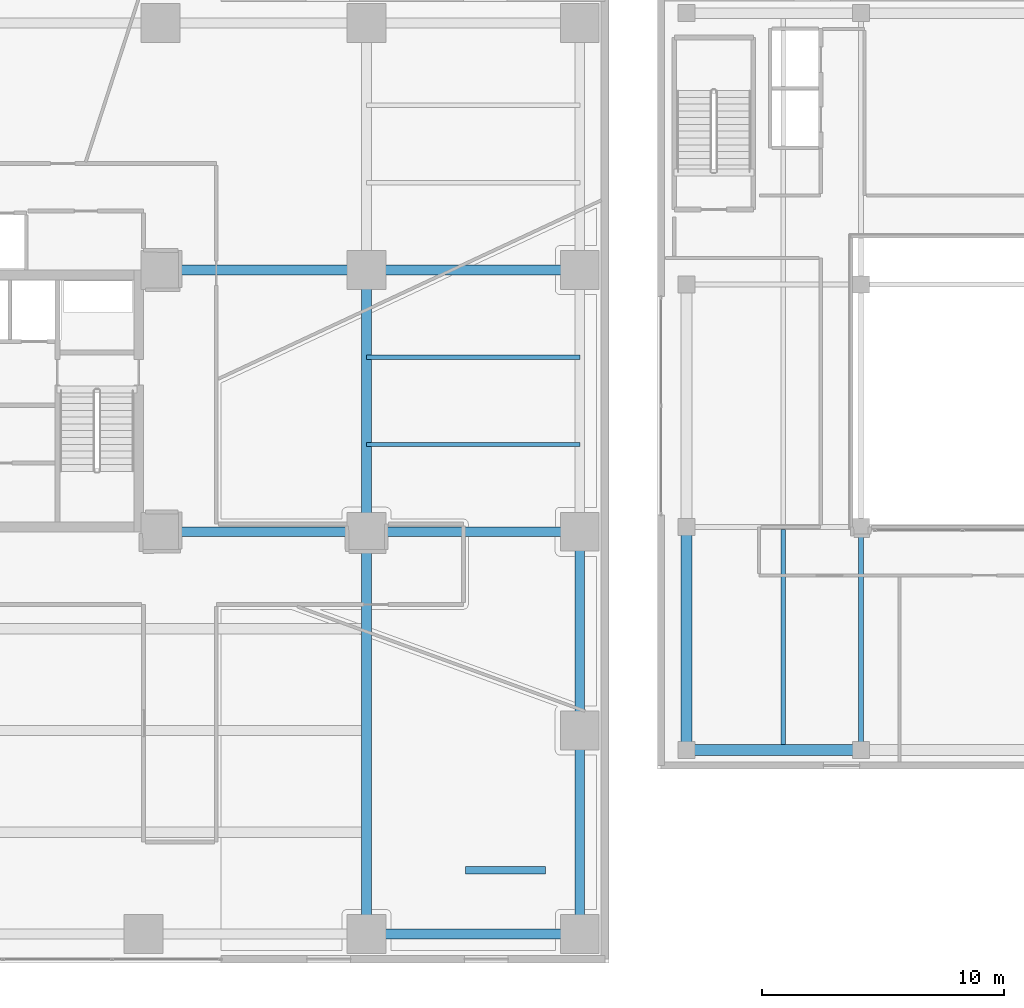
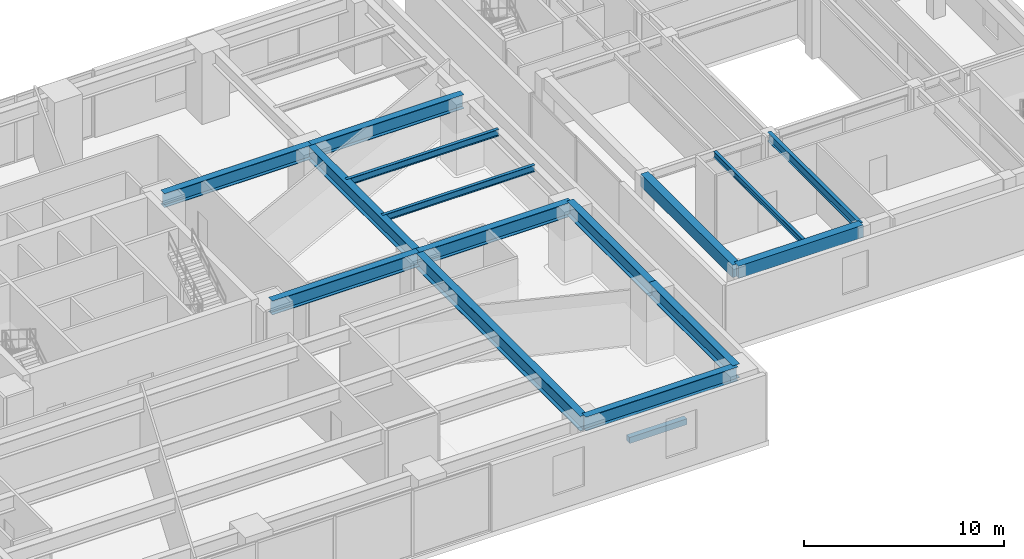
# One storey, part 7 of 25: 16 beams.
"""IFC4 building model written with IfcOpenShell, lengths in metres."""

from ifc_helpers import new_model, si_unit, direction, frame, origin, origin_2d, place, context, subcontext, project, spatial, rectangle, i_section, extrude, material, material_profile, profile_set, type_object, element, save


model = new_model("IFC4")

# Units and contexts
model_context = context("Model", 3, precision=1e-05, world=origin(), true_north=direction((0.0, 1.0)))
body_context = subcontext(model_context, "Body", "Model", "MODEL_VIEW")
ifc_project = project(units=[si_unit("LENGTHUNIT", "METRE"), si_unit("AREAUNIT", "SQUARE_METRE"), si_unit("VOLUMEUNIT", "CUBIC_METRE"), si_unit("PLANEANGLEUNIT", "RADIAN"), si_unit("MASSUNIT", "GRAM", prefix="KILO")], contexts=[model_context])

# Site, building, storey
site_placement = place(None, origin())
site = spatial("IfcSite", under=ifc_project, at=site_placement, CompositionType="ELEMENT")
building_placement = place(site_placement, origin())
building = spatial("IfcBuilding", under=site, at=building_placement, Name="Talar Marvaseh", CompositionType="ELEMENT")
storey_placement = place(building_placement, frame((0.0, 0.0, 5.199951171875)))
storey = spatial("IfcBuildingStorey", under=building, at=storey_placement, Name="L01", CompositionType="ELEMENT", Elevation=5.199951171875)

# Beams
ifc_material_1 = material(Name="Steel S460", Category="steel")
ifc_material_profile_1 = material_profile(ifc_material_1, i_section(OverallWidth=0.41796875, OverallDepth=0.912109375, WebThickness=0.019287109375, FlangeThickness=0.031982421875, at=origin_2d()), Name="W920x342")
ifc_profile_set_1 = profile_set([ifc_material_profile_1], Name="Steel S460")
beam_type_1 = type_object("IfcBeamType", Name="Auditorium Long-Span Girder W920x342", PredefinedType="BEAM", material=ifc_profile_set_1)
beam_1_placement = place(storey_placement, frame((42.0, 9.199951171875, 3.843994140625), z_axis=(0.0, 1.0, 0.0), x_axis=(-1.0, 0.0, 0.0)))
element("IfcBeam", 1, at=beam_1_placement, inside=storey, type_object=beam_type_1, Name="L01 Auditorium Long-Span Girder W920x342", PredefinedType="BEAM", context=body_context, shape_type="SweptSolid", body=[
    extrude(i_section(OverallWidth=0.41796875, OverallDepth=0.912109375, WebThickness=0.019287109375, FlangeThickness=0.031982421875, at=origin_2d()), origin(), (0.0, 0.0, 1.0), 16.60009765625),
])
ifc_material_2 = material(Name="Steel S355", Category="steel")
ifc_material_profile_2 = material_profile(ifc_material_2, i_section(OverallWidth=0.39990234375, OverallDepth=0.85498046875, WebThickness=0.018310546875, FlangeThickness=0.029296875, at=origin_2d()), Name="W840x299")
ifc_profile_set_2 = profile_set([ifc_material_profile_2], Name="Steel S355")
beam_type_2 = type_object("IfcBeamType", Name="Concourse Primary Girder W840x299", PredefinedType="BEAM", material=ifc_profile_set_2)
beam_2_placement = place(storey_placement, frame((42.0, 9.199951171875, 3.87255859375), z_axis=(1.0, 0.0, 0.0), x_axis=(0.0, 1.0, 0.0)))
element("IfcBeam", 2, at=beam_2_placement, inside=storey, type_object=beam_type_2, Name="L01 Concourse Primary Girder W840x299", PredefinedType="BEAM", context=body_context, shape_type="SweptSolid", body=[
    extrude(i_section(OverallWidth=0.39990234375, OverallDepth=0.85498046875, WebThickness=0.018310546875, FlangeThickness=0.029296875, at=origin_2d()), origin(), (0.0, 0.0, 1.0), 8.800048828125),
])
beam_3_placement = place(storey_placement, frame((33.5, 25.800048828125, 3.87255859375), z_axis=(1.0, 0.0, 0.0), x_axis=(0.0, 1.0, 0.0)))
element("IfcBeam", 3, at=beam_3_placement, inside=storey, type_object=beam_type_2, Name="L01 Concourse Primary Girder W840x299", PredefinedType="BEAM", context=body_context, shape_type="SweptSolid", body=[
    extrude(i_section(OverallWidth=0.39990234375, OverallDepth=0.85498046875, WebThickness=0.018310546875, FlangeThickness=0.029296875, at=origin_2d()), origin(), (0.0, 0.0, 1.0), 8.5),
])
beam_4_placement = place(storey_placement, frame((42.0, 25.800048828125, 3.87255859375), z_axis=(1.0, 0.0, 0.0), x_axis=(0.0, 1.0, 0.0)))
element("IfcBeam", 4, at=beam_4_placement, inside=storey, type_object=beam_type_2, Name="L01 Concourse Primary Girder W840x299", PredefinedType="BEAM", context=body_context, shape_type="SweptSolid", body=[
    extrude(i_section(OverallWidth=0.39990234375, OverallDepth=0.85498046875, WebThickness=0.018310546875, FlangeThickness=0.029296875, at=origin_2d()), origin(), (0.0, 0.0, 1.0), 8.800048828125),
])
beam_5_placement = place(storey_placement, frame((33.5, 36.60009765625, 3.87255859375), z_axis=(1.0, 0.0, 0.0), x_axis=(0.0, 1.0, 0.0)))
element("IfcBeam", 5, at=beam_5_placement, inside=storey, type_object=beam_type_2, Name="L01 Concourse Primary Girder W840x299", PredefinedType="BEAM", context=body_context, shape_type="SweptSolid", body=[
    extrude(i_section(OverallWidth=0.39990234375, OverallDepth=0.85498046875, WebThickness=0.018310546875, FlangeThickness=0.029296875, at=origin_2d()), origin(), (0.0, 0.0, 1.0), 8.5),
])
beam_6_placement = place(storey_placement, frame((42.0, 36.60009765625, 3.87255859375), z_axis=(1.0, 0.0, 0.0), x_axis=(0.0, 1.0, 0.0)))
element("IfcBeam", 6, at=beam_6_placement, inside=storey, type_object=beam_type_2, Name="L01 Concourse Primary Girder W840x299", PredefinedType="BEAM", context=body_context, shape_type="SweptSolid", body=[
    extrude(i_section(OverallWidth=0.39990234375, OverallDepth=0.85498046875, WebThickness=0.018310546875, FlangeThickness=0.029296875, at=origin_2d()), origin(), (0.0, 0.0, 1.0), 8.800048828125),
])
beam_7_placement = place(storey_placement, frame((42.0, 25.800048828125, 3.87255859375), z_axis=(0.0, 1.0, 0.0), x_axis=(-1.0, 0.0, 0.0)))
element("IfcBeam", 7, at=beam_7_placement, inside=storey, type_object=beam_type_2, Name="L01 Concourse Primary Girder W840x299", PredefinedType="BEAM", context=body_context, shape_type="SweptSolid", body=[
    extrude(i_section(OverallWidth=0.39990234375, OverallDepth=0.85498046875, WebThickness=0.018310546875, FlangeThickness=0.029296875, at=origin_2d()), origin(), (0.0, 0.0, 1.0), 10.800048828125),
])
beam_8_placement = place(storey_placement, frame((50.800048828125, 9.199951171875, 3.87255859375), z_axis=(0.0, 1.0, 0.0), x_axis=(-1.0, 0.0, 0.0)))
element("IfcBeam", 8, at=beam_8_placement, inside=storey, type_object=beam_type_2, Name="L01 Concourse Primary Girder W840x299", PredefinedType="BEAM", context=body_context, shape_type="SweptSolid", body=[
    extrude(i_section(OverallWidth=0.39990234375, OverallDepth=0.85498046875, WebThickness=0.018310546875, FlangeThickness=0.029296875, at=origin_2d()), origin(), (0.0, 0.0, 1.0), 8.400146484375),
])
beam_9_placement = place(storey_placement, frame((50.800048828125, 17.60009765625, 3.87255859375), z_axis=(0.0, 1.0, 0.0), x_axis=(-1.0, 0.0, 0.0)))
element("IfcBeam", 9, at=beam_9_placement, inside=storey, type_object=beam_type_2, Name="L01 Concourse Primary Girder W840x299", PredefinedType="BEAM", context=body_context, shape_type="SweptSolid", body=[
    extrude(i_section(OverallWidth=0.39990234375, OverallDepth=0.85498046875, WebThickness=0.018310546875, FlangeThickness=0.029296875, at=origin_2d()), origin(), (0.0, 0.0, 1.0), 8.199951171875),
])
ifc_material_3 = material(Name="Concrete C40/50", Category="concrete")
ifc_material_profile_3 = material_profile(ifc_material_3, rectangle(XDim=0.300048828125, YDim=0.360107421875, at=origin_2d()), Name="RC300x360")
ifc_profile_set_3 = profile_set([ifc_material_profile_3], Name="Concrete C40/50")
beam_type_3 = type_object("IfcBeamType", Name="Concrete Stair Landing Trimmer Beam RC300x360", PredefinedType="SPANDREL", material=ifc_profile_set_3)
beam_10_placement = place(storey_placement, frame((49.3798828125, 11.830078125, -0.179931640625), z_axis=(-1.0, 0.0, 0.0), x_axis=(0.0, -1.0, 0.0)))
element("IfcBeam", 10, at=beam_10_placement, inside=storey, type_object=beam_type_3, Name="L01 STN-ST2 Stair Nosing Trimmer Beam", PredefinedType="SPANDREL", context=body_context, shape_type="SweptSolid", body=[
    extrude(rectangle(XDim=0.300048828125, YDim=0.360107421875, at=origin_2d()), origin(), (0.0, 0.0, 1.0), 3.2998046875),
])
ifc_material_profile_4 = material_profile(ifc_material_3, rectangle(XDim=0.449951171875, YDim=0.75, at=origin_2d()), Name="RC450x750")
ifc_profile_set_4 = profile_set([ifc_material_profile_4], Name="Concrete C40/50")
beam_type_4 = type_object("IfcBeamType", Name="Market Concrete Edge Beam RC450x750", PredefinedType="SPANDREL", material=ifc_profile_set_4)
beam_11_placement = place(storey_placement, frame((55.199951171875, 16.800048828125, 3.925048828125), z_axis=(1.0, 0.0, 0.0), x_axis=(0.0, 1.0, 0.0)))
element("IfcBeam", 11, at=beam_11_placement, inside=storey, type_object=beam_type_4, Name="L01 Market Concrete Edge Beam RC450x750", PredefinedType="SPANDREL", context=body_context, shape_type="SweptSolid", body=[
    extrude(rectangle(XDim=0.449951171875, YDim=0.75, at=origin_2d()), origin(), (0.0, 0.0, 1.0), 7.199951171875),
])
beam_12_placement = place(storey_placement, frame((55.199951171875, 16.800048828125, 3.925048828125), z_axis=(0.0, 1.0, 0.0), x_axis=(-1.0, 0.0, 0.0)))
element("IfcBeam", 12, at=beam_12_placement, inside=storey, type_object=beam_type_4, Name="L01 Market Concrete Edge Beam RC450x750", PredefinedType="SPANDREL", context=body_context, shape_type="SweptSolid", body=[
    extrude(rectangle(XDim=0.449951171875, YDim=0.75, at=origin_2d()), origin(), (0.0, 0.0, 1.0), 9.199951171875),
])
ifc_material_profile_5 = material_profile(ifc_material_2, i_section(OverallWidth=0.2119140625, OverallDepth=0.5439453125, WebThickness=0.01318359375, FlangeThickness=0.021240234375, at=origin_2d()), Name="W530x123")
ifc_profile_set_5 = profile_set([ifc_material_profile_5], Name="Steel S355")
beam_type_5 = type_object("IfcBeamType", Name="Market Hall Primary Girder W530x123", PredefinedType="BEAM", material=ifc_profile_set_5)
beam_13_placement = place(storey_placement, frame((62.39990234375, 16.800048828125, 4.028076171875), z_axis=(0.0, 1.0, 0.0), x_axis=(-1.0, 0.0, 0.0)))
element("IfcBeam", 13, at=beam_13_placement, inside=storey, type_object=beam_type_5, Name="L01 Market Hall Primary Girder W530x123", PredefinedType="BEAM", context=body_context, shape_type="SweptSolid", body=[
    extrude(i_section(OverallWidth=0.2119140625, OverallDepth=0.5439453125, WebThickness=0.01318359375, FlangeThickness=0.021240234375, at=origin_2d()), origin(), (0.0, 0.0, 1.0), 9.199951171875),
])
ifc_material_profile_6 = material_profile(ifc_material_2, i_section(OverallWidth=0.179931640625, OverallDepth=0.4130859375, WebThickness=0.009765625, FlangeThickness=0.01611328125, at=origin_2d()), Name="W410x75")
ifc_profile_set_6 = profile_set([ifc_material_profile_6], Name="Steel S355")
beam_type_6 = type_object("IfcBeamType", Name="Zone 1 Secondary Floor Joist W410x75", PredefinedType="JOIST", material=ifc_profile_set_6)
for number, where, z_axis, x_axis, name in (
    (14, (42.0, 29.39990234375, 4.093505859375), (1.0, 0.0, 0.0), (0.0, 1.0, 0.0), "L01 Zone 1 Secondary Floor Joist W410x75"),
    (15, (42.0, 33.0, 4.093505859375), (1.0, 0.0, 0.0), (0.0, 1.0, 0.0), "L01 Zone 1 Secondary Floor Joist W410x75"),
):
    element("IfcBeam", number, at=place(storey_placement, frame(where, z_axis=z_axis, x_axis=x_axis)), inside=storey, type_object=beam_type_6, Name=name, PredefinedType="JOIST", context=body_context, shape_type="SweptSolid", body=[
        extrude(i_section(OverallWidth=0.179931640625, OverallDepth=0.4130859375, WebThickness=0.009765625, FlangeThickness=0.01611328125, at=origin_2d()), origin(), (0.0, 0.0, 1.0), 8.800048828125),
    ])
ifc_material_profile_7 = material_profile(ifc_material_2, i_section(OverallWidth=0.172119140625, OverallDepth=0.35791015625, WebThickness=0.0078125, FlangeThickness=0.01318359375, at=origin_2d()), Name="W360x57")
ifc_profile_set_7 = profile_set([ifc_material_profile_7], Name="Steel S355")
beam_type_7 = type_object("IfcBeamType", Name="Zone 2 Secondary Floor Joist W360x57", PredefinedType="JOIST", material=ifc_profile_set_7)
beam_14_placement = place(storey_placement, frame((59.199951171875, 17.02001953125, 4.12109375), z_axis=(0.0, 1.0, 0.0), x_axis=(-1.0, 0.0, 0.0)))
element("IfcBeam", 16, at=beam_14_placement, inside=storey, type_object=beam_type_7, Name="L01 Zone 2 Secondary Floor Joist W360x57", PredefinedType="JOIST", context=body_context, shape_type="SweptSolid", body=[
    extrude(i_section(OverallWidth=0.172119140625, OverallDepth=0.35791015625, WebThickness=0.0078125, FlangeThickness=0.01318359375, at=origin_2d()), origin(), (0.0, 0.0, 1.0), 8.875),
])

save(model, "model.ifc")
